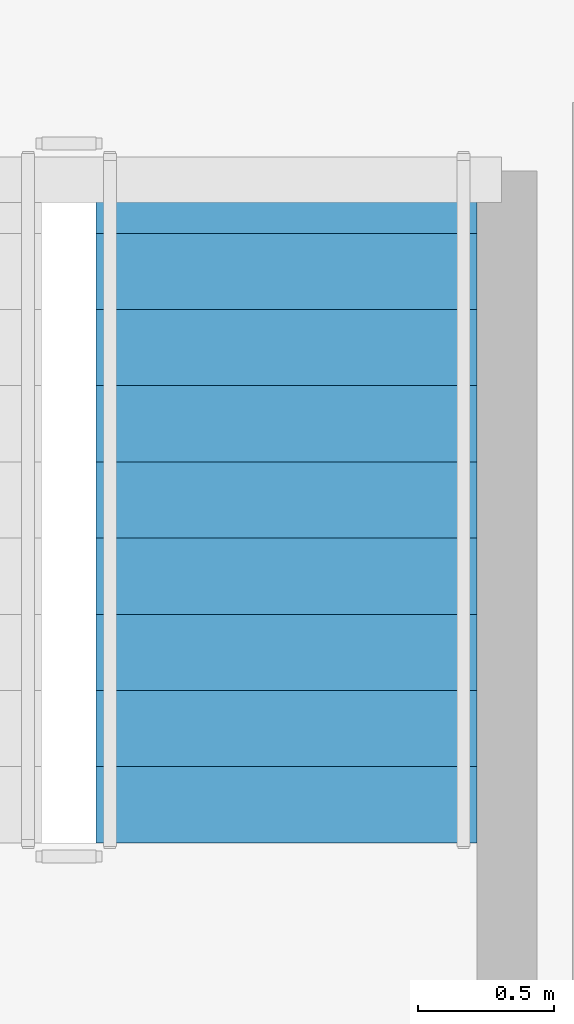
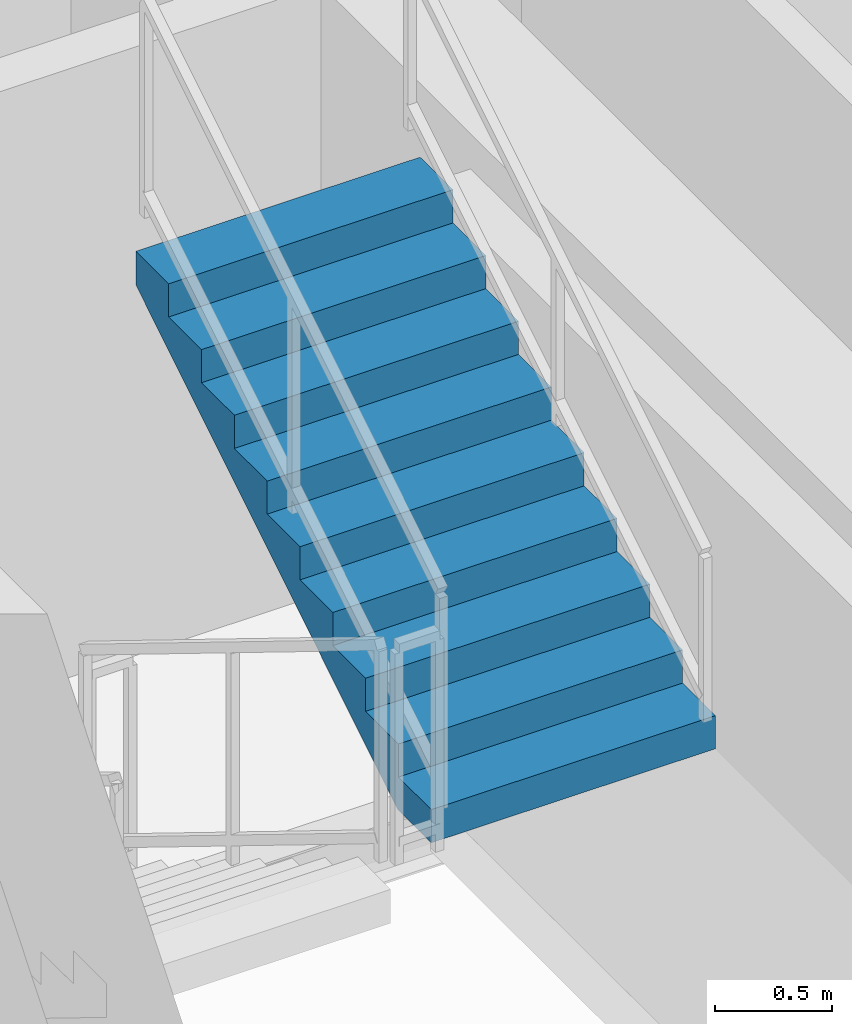
# One storey, part 21 of 23: 1 stair flight, 1 element without a shape of its own.
"""IFC4 building model written with IfcOpenShell, lengths in metres."""

from ifc_helpers import new_model, si_unit, direction, frame, origin, place, context, subcontext, project, spatial, polyline, outline, extrude, material, type_object, element, aggregate, save


model = new_model("IFC4")

# Units and contexts
model_context = context("Model", 3, precision=1e-05, world=origin(), true_north=direction((0.0, 1.0)))
body_context = subcontext(model_context, "Body", "Model", "MODEL_VIEW")
ifc_project = project(units=[si_unit("LENGTHUNIT", "METRE"), si_unit("AREAUNIT", "SQUARE_METRE"), si_unit("VOLUMEUNIT", "CUBIC_METRE"), si_unit("PLANEANGLEUNIT", "RADIAN"), si_unit("MASSUNIT", "GRAM", prefix="KILO")], contexts=[model_context])

# Site, building, storey
site_placement = place(None, origin())
site = spatial("IfcSite", under=ifc_project, at=site_placement, CompositionType="ELEMENT")
building_placement = place(site_placement, origin())
building = spatial("IfcBuilding", under=site, at=building_placement, Name="Qarnah Convention Tower", CompositionType="ELEMENT")
storey_placement = place(building_placement, frame((0.0, 0.0, 114.300048828125)))
storey = spatial("IfcBuildingStorey", under=building, at=storey_placement, Name="L30", CompositionType="ELEMENT", Elevation=114.300048828125)

# Stair, stair flight
ifc_material = material(Name="Concrete C50/60", Category="concrete")
stair_type = type_object("IfcStairType", Name="STR-HTL", PredefinedType="HALF_TURN_STAIR", material=ifc_material)
stair_placement = place(storey_placement, origin())
stair = element("IfcStair", 1, at=stair_placement, inside=storey, type_object=stair_type, Name="L30 Core exit stair ST-2", PredefinedType="HALF_TURN_STAIR")
stair_flight_type = type_object("IfcStairFlightType", Name="FLT-HTL", PredefinedType="STRAIGHT", material=ifc_material)
stair_flight_placement = place(storey_placement, frame((46.25, 22.780029296875, 1.724853515625), z_axis=(0.0, 0.0, 1.0), x_axis=(0.0, 1.0, 0.0)))
stair_flight = element("IfcStairFlight", 2, at=stair_flight_placement, type_object=stair_flight_type, Name="ST-2 flight 2", NumberOfRisers=10, NumberOfTreads=9, PredefinedType="STRAIGHT", RiserHeight=0.1725, TreadLength=0.28, context=body_context, shape_type="SweptSolid", body=[
    extrude(outline(polyline([(0.0, 0.0), (0.0, 0.172607421875), (0.280029296875, 0.172607421875), (0.280029296875, 0.344970703125), (0.56005859375, 0.344970703125), (0.56005859375, 0.517578125), (0.840087890625, 0.517578125), (0.840087890625, 0.68994140625), (1.1201171875, 0.68994140625), (1.1201171875, 0.862548828125), (1.39990234375, 0.862548828125), (1.39990234375, 1.034912109375), (1.679931640625, 1.034912109375), (1.679931640625, 1.20751953125), (1.9599609375, 1.20751953125), (1.9599609375, 1.3798828125), (2.239990234375, 1.3798828125), (2.239990234375, 1.552490234375), (2.52001953125, 1.552490234375), (2.52001953125, 1.72509765625), (2.52001953125, 1.37646484375), (0.285888671875, 0.0), (0.0, 0.0)])), frame((0.0, 0.699951171875, 0.0), z_axis=(0.0, -1.0, 0.0), x_axis=(1.0, 0.0, 0.0)), (0.0, 0.0, 1.0), 1.39990234375),
])
aggregate(stair, [stair_flight])

save(model, "model.ifc")
